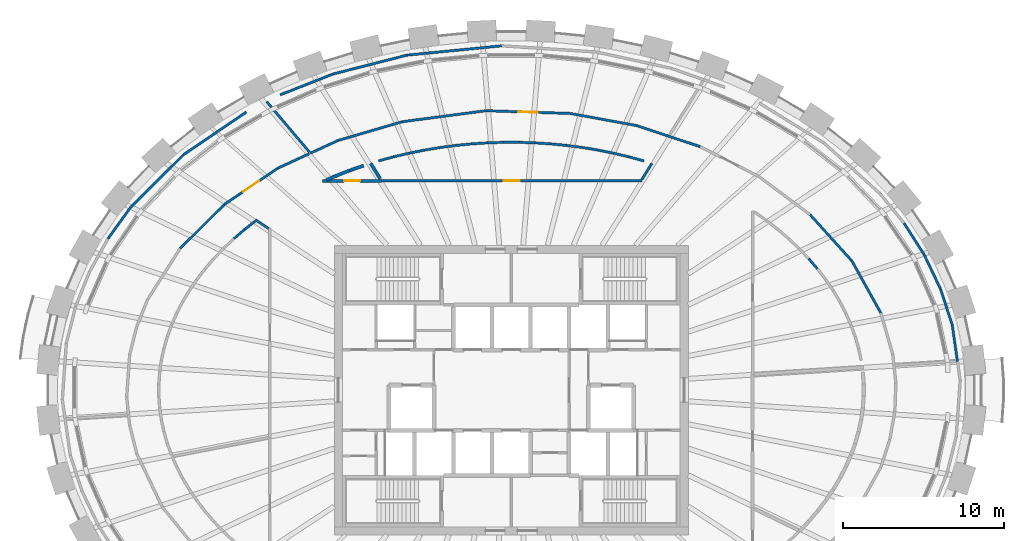
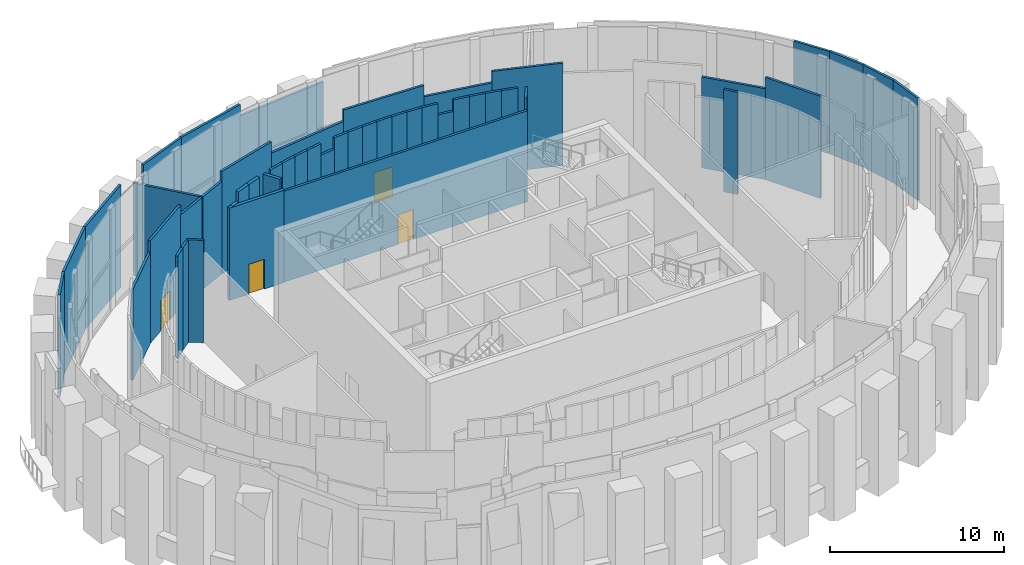
# One storey, part 13 of 16: 50 walls, 4 doors, 4 openings.
"""IFC4 building model written with IfcOpenShell, lengths in metres."""

from ifc_helpers import new_model, si_unit, direction, frame, frame_2d, origin, place, context, subcontext, project, spatial, rectangle, extrude, source, transform, mapped, material, layer, layer_set, type_object, element, fill, save


model = new_model("IFC4")

# Units and contexts
model_context = context("Model", 3, precision=1e-05, world=origin(), true_north=direction((0.0, 1.0)))
body_context = subcontext(model_context, "Body", "Model", "MODEL_VIEW")
ifc_project = project(units=[si_unit("LENGTHUNIT", "METRE"), si_unit("AREAUNIT", "SQUARE_METRE"), si_unit("VOLUMEUNIT", "CUBIC_METRE"), si_unit("PLANEANGLEUNIT", "RADIAN"), si_unit("MASSUNIT", "GRAM", prefix="KILO")], contexts=[model_context])

# Site, building, storey
site_placement = place(None, origin())
site = spatial("IfcSite", under=ifc_project, at=site_placement, CompositionType="ELEMENT")
building_placement = place(site_placement, origin())
building = spatial("IfcBuilding", under=site, at=building_placement, Name="Embergate Tower", CompositionType="ELEMENT")
storey_placement = place(building_placement, frame((0.0, 0.0, 332.5)))
storey = spatial("IfcBuildingStorey", under=building, at=storey_placement, Name="L78", CompositionType="ELEMENT", Elevation=332.5)

# Walls
ifc_material_1 = material(Name="Plasterboard on steel stud", Category="steel")
ifc_layer_1 = layer(ifc_material_1, 0.14990234375)
ifc_layer_set_1 = layer_set([ifc_layer_1], Name="Plasterboard on steel stud")
wall_type_1 = type_object("IfcWallType", Name="Partition wall 150 board", PredefinedType="PARTITIONING", material=ifc_layer_set_1)
shared_shape_1 = source(origin(), body_context, "Body", "SweptSolid", [
    extrude(rectangle(XDim=2.286865234375, YDim=0.14990234375, at=frame_2d((1.1435546875, 0.0))), origin(), (0.0, 0.0, 1.0), 7.199951171875),
])
wall_1_placement = place(storey_placement, frame((27.405029296875, 4.052001953125, 0.0), z_axis=(0.0, 0.0, 1.0), x_axis=(0.141241998997, -0.989975099545, 0.0)))
element("IfcWall", 1, at=wall_1_placement, inside=storey, type_object=wall_type_1, Name="Partition 211", PredefinedType="PARTITIONING", context=body_context, shape_type="MappedRepresentation", body=[
    mapped(shared_shape_1, transform((0.0, 0.0, 0.0))),
])
shared_shape_2 = source(origin(), body_context, "Body", "SweptSolid", [
    extrude(rectangle(XDim=2.33984375, YDim=0.14990234375, at=frame_2d((1.169921875, 0.0))), origin(), (0.0, 0.0, 1.0), 7.199951171875),
])
wall_2_placement = place(storey_placement, frame((26.680908203125, 6.277099609375, 0.0), z_axis=(0.0, 0.0, 1.0), x_axis=(0.309458801417, -0.950912851015, 0.0)))
element("IfcWall", 2, at=wall_2_placement, inside=storey, type_object=wall_type_1, Name="Partition 209", PredefinedType="PARTITIONING", context=body_context, shape_type="MappedRepresentation", body=[
    mapped(shared_shape_2, transform((0.0, 0.0, 0.0))),
])
shared_shape_3 = source(origin(), body_context, "Body", "SweptSolid", [
    extrude(rectangle(XDim=2.357666015625, YDim=0.14990234375, at=frame_2d((1.1787109375, 0.0))), origin(), (0.0, 0.0, 1.0), 7.199951171875),
])
wall_3_placement = place(storey_placement, frame((25.666015625, 8.405029296875, 0.0), z_axis=(0.0, 0.0, 1.0), x_axis=(0.430484206398, -0.902598109926, 0.0)))
element("IfcWall", 3, at=wall_3_placement, inside=storey, type_object=wall_type_1, Name="Partition 207", PredefinedType="PARTITIONING", context=body_context, shape_type="MappedRepresentation", body=[
    mapped(shared_shape_3, transform((0.0, 0.0, 0.0))),
])
shared_shape_4 = source(origin(), body_context, "Body", "SweptSolid", [
    extrude(rectangle(XDim=2.365478515625, YDim=0.14990234375, at=frame_2d((1.1826171875, 0.0))), origin(), (0.0, 0.0, 1.0), 7.199951171875),
])
wall_4_placement = place(storey_placement, frame((-25.071044921875, 9.39990234375, 0.0), z_axis=(0.0, 0.0, 1.0), x_axis=(0.58590497925, 0.810379759921, 0.0)))
element("IfcWall", 4, at=wall_4_placement, inside=storey, type_object=wall_type_1, Name="Partition 009", PredefinedType="PARTITIONING", context=body_context, shape_type="MappedRepresentation", body=[
    mapped(shared_shape_4, transform((0.0, 0.0, 0.0))),
])
shared_shape_5 = source(origin(), body_context, "Body", "SweptSolid", [
    extrude(rectangle(XDim=2.333984375, YDim=0.14990234375, at=frame_2d((1.1669921875, 0.0))), origin(), (0.0, 0.0, 1.0), 7.199951171875),
])
wall_5_placement = place(storey_placement, frame((24.409912109375, 10.3720703125, 0.0), z_axis=(0.0, 0.0, 1.0), x_axis=(0.538201487539, -0.842816207017, 0.0)))
element("IfcWall", 5, at=wall_5_placement, inside=storey, type_object=wall_type_1, Name="Partition 205", PredefinedType="PARTITIONING", context=body_context, shape_type="MappedRepresentation", body=[
    mapped(shared_shape_5, transform((0.0, 0.0, 0.0))),
])
shared_shape_6 = source(origin(), body_context, "Body", "SweptSolid", [
    extrude(rectangle(XDim=4.688232421875, YDim=0.14990234375, at=frame_2d((2.34423828125, 0.0))), origin(), (0.0, 0.0, 1.0), 7.199951171875),
])
wall_6_placement = place(storey_placement, frame((-23.68505859375, 11.31689453125, 0.0), z_axis=(0.0, 0.0, 1.0), x_axis=(0.707757424676, 0.706455538456, 0.0)))
element("IfcWall", 6, at=wall_6_placement, inside=storey, type_object=wall_type_1, Name="Partition 016", PredefinedType="PARTITIONING", context=body_context, shape_type="MappedRepresentation", body=[
    mapped(shared_shape_6, transform((0.0, 0.0, 0.0))),
])
shared_shape_7 = source(origin(), body_context, "Body", "SweptSolid", [
    extrude(rectangle(XDim=3.8798828125, YDim=0.14990234375, at=frame_2d((1.93994140625, 0.0))), origin(), (0.0, 0.0, 1.0), 6.39990234375),
])
wall_7_placement = place(storey_placement, frame((-20.5810546875, 8.7939453125, 0.0), z_axis=(0.0, 0.0, 1.0), x_axis=(0.708269912657, 0.705941733307, 0.0)))
element("IfcWall", 7, at=wall_7_placement, inside=storey, type_object=wall_type_1, Name="Partition 036", PredefinedType="PARTITIONING", context=body_context, shape_type="MappedRepresentation", body=[
    mapped(shared_shape_7, transform((0.0, 0.0, 0.0))),
])
shared_shape_8 = source(origin(), body_context, "Body", "SweptSolid", [
    extrude(rectangle(XDim=4.715576171875, YDim=0.14990234375, at=frame_2d((2.35791015625, 0.0))), origin(), (0.0, 0.0, 1.0), 7.199951171875),
])
wall_8_placement = place(storey_placement, frame((-20.366943359375, 14.62890625, 0.0), z_axis=(0.0, 0.0, 1.0), x_axis=(0.827425943058, 0.561574846975, 0.0)))
element("IfcWall", 8, at=wall_8_placement, inside=storey, type_object=wall_type_1, Name="Partition 039", PredefinedType="PARTITIONING", context=body_context, shape_type="MappedRepresentation", body=[
    mapped(shared_shape_8, transform((0.0, 0.0, 0.0))),
])
shared_shape_9 = source(origin(), body_context, "Body", "SweptSolid", [
    extrude(rectangle(XDim=0.843994140625, YDim=0.14990234375, at=frame_2d((0.421875, 0.0))), origin(), (0.0, 0.0, 1.0), 7.199951171875),
])
wall_9_placement = place(storey_placement, frame((19.030029296875, 7.531982421875, 0.0), z_axis=(0.0, 0.0, 1.0), x_axis=(-0.651719945769, 0.758459697207, 0.0)))
element("IfcWall", 9, at=wall_9_placement, inside=storey, type_object=wall_type_1, Name="Partition 171", PredefinedType="PARTITIONING", context=body_context, shape_type="MappedRepresentation", body=[
    mapped(shared_shape_9, transform((0.0, 0.0, 0.0))),
])

# Wall, opening, door
shared_shape_10 = source(origin(), body_context, "Body", "SweptSolid", [
    extrude(rectangle(XDim=4.015869140625, YDim=0.14990234375, at=frame_2d((2.0078125, 0.0))), origin(), (0.0, 0.0, 1.0), 7.199951171875),
])
wall_10_placement = place(storey_placement, frame((-17.8330078125, 11.532958984375, 0.0), z_axis=(0.0, 0.0, 1.0), x_axis=(0.827448536195, 0.561541556743, 0.0)))
wall_10 = element("IfcWall", 10, at=wall_10_placement, inside=storey, type_object=wall_type_1, Name="Partition 052", PredefinedType="PARTITIONING", context=body_context, shape_type="MappedRepresentation", body=[
    mapped(shared_shape_10, transform((0.0, 0.0, 0.0))),
])
shared_shape_11 = source(origin(), body_context, "Body", "SweptSolid", [
    extrude(rectangle(XDim=1.199951171875, YDim=2.10009765625, at=frame_2d((0.60009765625, 1.050048828125))), frame((0.0, 0.0849609375, 0.0), z_axis=(0.0, -1.0, 0.0), x_axis=(1.0, 0.0, 0.0)), (0.0, 0.0, 1.0), 0.169921875),
])
opening_1_placement = place(wall_10_placement, frame((1.407958984375, 0.0, 0.0)))
opening_1 = element("IfcOpeningElement", 11, at=opening_1_placement, cuts=wall_10, Name="Opening DS-260", PredefinedType="OPENING", context=body_context, shape_type="MappedRepresentation", body=[
    mapped(shared_shape_11, transform((0.0, 0.0, 0.0))),
])
ifc_material_2 = material(Name="Timber door leaf, steel frame", Category="steel")
door_type_1 = type_object("IfcDoorType", Name="Plant door 1200x2100", OperationType="SINGLE_SWING_LEFT", PredefinedType="DOOR", material=ifc_material_2)
shared_shape_12 = source(origin(), body_context, "Body", "SweptSolid", [
    extrude(rectangle(XDim=1.199951171875, YDim=2.10009765625, at=frame_2d((0.60009765625, 1.050048828125))), frame((0.0, 0.02490234375, 0.0), z_axis=(0.0, -1.0, 0.0), x_axis=(1.0, 0.0, 0.0)), (0.0, 0.0, 1.0), 0.050048828125),
])
door_1_placement = place(opening_1_placement, origin())
door_1 = element("IfcDoor", 12, at=door_1_placement, inside=storey, type_object=door_type_1, Name="Door to North-west viewing lounge", OperationType="SINGLE_SWING_LEFT", OverallHeight=2.10009765625, OverallWidth=1.199951171875, PredefinedType="DOOR", context=body_context, shape_type="MappedRepresentation", body=[
    mapped(shared_shape_12, transform((0.0, 0.0, 0.0))),
])
fill(opening_1, door_1)

# Walls
shared_shape_13 = source(origin(), body_context, "Body", "SweptSolid", [
    extrude(rectangle(XDim=0.880615234375, YDim=0.14990234375, at=frame_2d((0.4404296875, 0.0))), origin(), (0.0, 0.0, 1.0), 7.199951171875),
])
wall_11_placement = place(storey_placement, frame((-16.56591796875, 9.986083984375, 0.0), z_axis=(0.0, 0.0, 1.0), x_axis=(-0.758453739474, -0.651726879205, 0.0)))
element("IfcWall", 13, at=wall_11_placement, inside=storey, type_object=wall_type_1, Name="Partition 056", PredefinedType="PARTITIONING", context=body_context, shape_type="MappedRepresentation", body=[
    mapped(shared_shape_13, transform((0.0, 0.0, 0.0))),
])
shared_shape_14 = source(origin(), body_context, "Body", "SweptSolid", [
    extrude(rectangle(XDim=0.8271484375, YDim=0.14990234375, at=frame_2d((0.41357421875, 0.0))), origin(), (0.0, 0.0, 1.0), 7.199951171875),
])
wall_12_placement = place(storey_placement, frame((-15.9140625, 10.4951171875, 0.0), z_axis=(0.0, 0.0, 1.0), x_axis=(-0.788158613851, -0.615472175985, 0.0)))
element("IfcWall", 14, at=wall_12_placement, inside=storey, type_object=wall_type_1, Name="Partition 059", PredefinedType="PARTITIONING", context=body_context, shape_type="MappedRepresentation", body=[
    mapped(shared_shape_14, transform((0.0, 0.0, 0.0))),
])
shared_shape_15 = source(origin(), body_context, "Body", "SweptSolid", [
    extrude(rectangle(XDim=1.0009765625, YDim=0.14990234375, at=frame_2d((0.50048828125, 0.0))), origin(), (0.0, 0.0, 1.0), 7.199951171875),
])
wall_13_placement = place(storey_placement, frame((-15.904052734375, 10.592041015625, 0.0), z_axis=(0.0, 0.0, 1.0), x_axis=(0.832237873638, -0.554418724144, 0.0)))
element("IfcWall", 15, at=wall_13_placement, inside=storey, type_object=wall_type_1, Name="Partition 060", PredefinedType="PARTITIONING", context=body_context, shape_type="MappedRepresentation", body=[
    mapped(shared_shape_15, transform((0.0, 0.0, 0.0))),
])
shared_shape_16 = source(origin(), body_context, "Body", "SweptSolid", [
    extrude(rectangle(XDim=2.152587890625, YDim=0.14990234375, at=frame_2d((1.076171875, 0.0))), origin(), (0.0, 0.0, 1.0), 6.5),
])
wall_14_placement = place(storey_placement, frame((-14.510009765625, 13.7880859375, 0.0), z_axis=(0.0, 0.0, 1.0), x_axis=(0.908218126724, 0.418497113838, 0.0)))
element("IfcWall", 16, at=wall_14_placement, inside=storey, type_object=wall_type_1, Name="Partition 065", PredefinedType="PARTITIONING", context=body_context, shape_type="MappedRepresentation", body=[
    mapped(shared_shape_16, transform((0.0, 0.0, 0.0))),
])
shared_shape_17 = source(origin(), body_context, "Body", "SweptSolid", [
    extrude(rectangle(XDim=3.5458984375, YDim=0.14990234375, at=frame_2d((1.77294921875, 0.0))), origin(), (0.0, 0.0, 1.0), 7.199951171875),
])
wall_15_placement = place(storey_placement, frame((-14.35888671875, 18.34912109375, 0.0), z_axis=(0.0, 0.0, 1.0), x_axis=(0.930607478203, 0.366018744756, 0.0)))
element("IfcWall", 17, at=wall_15_placement, inside=storey, type_object=wall_type_1, Name="Partition 066", PredefinedType="PARTITIONING", context=body_context, shape_type="MappedRepresentation", body=[
    mapped(shared_shape_17, transform((0.0, 0.0, 0.0))),
])
shared_shape_18 = source(origin(), body_context, "Body", "SweptSolid", [
    extrude(rectangle(XDim=4.12158203125, YDim=0.14990234375, at=frame_2d((2.060791015625, 0.0))), origin(), (0.0, 0.0, 1.0), 6.5),
])
wall_16_placement = place(storey_placement, frame((-12.531005859375, 14.779052734375, 0.0), z_axis=(0.0, 0.0, 1.0), x_axis=(-0.646605834237, 0.762824288503, 0.0)))
element("IfcWall", 18, at=wall_16_placement, inside=storey, type_object=wall_type_1, Name="Partition 068", PredefinedType="PARTITIONING", context=body_context, shape_type="MappedRepresentation", body=[
    mapped(shared_shape_18, transform((0.0, 0.0, 0.0))),
])
shared_shape_19 = source(origin(), body_context, "Body", "SweptSolid", [
    extrude(rectangle(XDim=1.880615234375, YDim=0.14990234375, at=frame_2d((0.9404296875, 0.0))), origin(), (0.0, 0.0, 1.0), 6.5),
])
wall_17_placement = place(storey_placement, frame((-12.48193359375, 14.721923828125, 0.0), z_axis=(0.0, 0.0, 1.0), x_axis=(0.908202401755, 0.418531238316, 0.0)))
element("IfcWall", 19, at=wall_17_placement, inside=storey, type_object=wall_type_1, Name="Partition 069", PredefinedType="PARTITIONING", context=body_context, shape_type="MappedRepresentation", body=[
    mapped(shared_shape_19, transform((0.0, 0.0, 0.0))),
])

# Wall, opening, door
ifc_material_3 = material(Name="Blockwork, plastered", Category="masonry")
ifc_layer_2 = layer(ifc_material_3, 0.199951171875)
ifc_layer_set_2 = layer_set([ifc_layer_2], Name="Blockwork, plastered")
wall_type_2 = type_object("IfcWallType", Name="Partition wall 200 block", PredefinedType="PARTITIONING", material=ifc_layer_set_2)
shared_shape_20 = source(origin(), body_context, "Body", "SweptSolid", [
    extrude(rectangle(XDim=3.653076171875, YDim=0.199951171875, at=frame_2d((1.82666015625, 0.0))), origin(), (0.0, 0.0, 1.0), 6.5),
])
wall_18_placement = place(storey_placement, frame((-11.717041015625, 13.0, 0.0), z_axis=(0.0, 0.0, 1.0), x_axis=(1.0, 0.0, 0.0)))
wall_18 = element("IfcWall", 20, at=wall_18_placement, inside=storey, type_object=wall_type_2, Name="Partition 071", PredefinedType="PARTITIONING", context=body_context, shape_type="MappedRepresentation", body=[
    mapped(shared_shape_20, transform((0.0, 0.0, 0.0))),
])
shared_shape_21 = source(origin(), body_context, "Body", "SweptSolid", [
    extrude(rectangle(XDim=1.0, YDim=2.10009765625, at=frame_2d((0.5, 1.050048828125))), frame((0.0, 0.10986328125, 0.0), z_axis=(0.0, -1.0, 0.0), x_axis=(1.0, 0.0, 0.0)), (0.0, 0.0, 1.0), 0.219970703125),
])
opening_2_placement = place(wall_18_placement, frame((1.326904296875, 0.0, 0.0)))
opening_2 = element("IfcOpeningElement", 21, at=opening_2_placement, cuts=wall_18, Name="Opening DS-266", PredefinedType="OPENING", context=body_context, shape_type="MappedRepresentation", body=[
    mapped(shared_shape_21, transform((0.0, 0.0, 0.0))),
])
door_type_2 = type_object("IfcDoorType", Name="Single door 1000x2100", OperationType="SINGLE_SWING_LEFT", PredefinedType="DOOR", material=ifc_material_2)
shared_shape_22 = source(origin(), body_context, "Body", "SweptSolid", [
    extrude(rectangle(XDim=1.0, YDim=2.10009765625, at=frame_2d((0.5, 1.050048828125))), frame((0.0, 0.02490234375, 0.0), z_axis=(0.0, -1.0, 0.0), x_axis=(1.0, 0.0, 0.0)), (0.0, 0.0, 1.0), 0.050048828125),
])
door_2_placement = place(opening_2_placement, origin())
door_2 = element("IfcDoor", 22, at=door_2_placement, inside=storey, type_object=door_type_2, Name="Door to Public WC", OperationType="SINGLE_SWING_LEFT", OverallHeight=2.10009765625, OverallWidth=1.0, PredefinedType="DOOR", context=body_context, shape_type="MappedRepresentation", body=[
    mapped(shared_shape_22, transform((0.0, 0.0, 0.0))),
])
fill(opening_2, door_2)

# Walls
shared_shape_23 = source(origin(), body_context, "Body", "SweptSolid", [
    extrude(rectangle(XDim=4.728515625, YDim=0.14990234375, at=frame_2d((2.3642578125, 0.0))), origin(), (0.0, 0.0, 1.0), 7.199951171875),
])
wall_19_placement = place(storey_placement, frame((-11.05908203125, 19.64697265625, 0.0), z_axis=(0.0, 0.0, 1.0), x_axis=(0.969014535327, 0.247003705083, 0.0)))
element("IfcWall", 23, at=wall_19_placement, inside=storey, type_object=wall_type_1, Name="Partition 072", PredefinedType="PARTITIONING", context=body_context, shape_type="MappedRepresentation", body=[
    mapped(shared_shape_23, transform((0.0, 0.0, 0.0))),
])
shared_shape_24 = source(origin(), body_context, "Body", "SweptSolid", [
    extrude(rectangle(XDim=0.529052734375, YDim=0.199951171875, at=frame_2d((0.2646484375, 0.0))), origin(), (0.0, 0.0, 1.0), 6.5),
])
wall_20_placement = place(storey_placement, frame((-10.9951171875, 13.27197265625, 0.0), z_axis=(0.0, 0.0, 1.0), x_axis=(-0.91630551971, -0.400479955241, 0.0)))
element("IfcWall", 24, at=wall_20_placement, inside=storey, type_object=wall_type_2, Name="Partition 073", PredefinedType="PARTITIONING", context=body_context, shape_type="MappedRepresentation", body=[
    mapped(shared_shape_24, transform((0.0, 0.0, 0.0))),
])
shared_shape_25 = source(origin(), body_context, "Body", "SweptSolid", [
    extrude(rectangle(XDim=4.15771484375, YDim=0.14990234375, at=frame_2d((2.078857421875, 0.0))), origin(), (0.0, 0.0, 1.0), 7.199951171875),
])
wall_21_placement = place(storey_placement, frame((-10.77392578125, 15.509033203125, 0.0), z_axis=(0.0, 0.0, 1.0), x_axis=(0.959871658062, 0.280439654916, 0.0)))
element("IfcWall", 25, at=wall_21_placement, inside=storey, type_object=wall_type_1, Name="Partition 075", PredefinedType="PARTITIONING", context=body_context, shape_type="MappedRepresentation", body=[
    mapped(shared_shape_25, transform((0.0, 0.0, 0.0))),
])
shared_shape_26 = source(origin(), body_context, "Body", "SweptSolid", [
    extrude(rectangle(XDim=0.96728515625, YDim=0.199951171875, at=frame_2d((0.483642578125, 0.0))), origin(), (0.0, 0.0, 1.0), 7.199951171875),
])
wall_22_placement = place(storey_placement, frame((-10.076904296875, 13.634033203125, 0.0), z_axis=(0.0, 0.0, 1.0), x_axis=(-0.930619512582, -0.365988145713, 0.0)))
element("IfcWall", 26, at=wall_22_placement, inside=storey, type_object=wall_type_2, Name="Partition 077", PredefinedType="PARTITIONING", context=body_context, shape_type="MappedRepresentation", body=[
    mapped(shared_shape_26, transform((0.0, 0.0, 0.0))),
])
shared_shape_27 = source(origin(), body_context, "Body", "SweptSolid", [
    extrude(rectangle(XDim=0.957763671875, YDim=0.199951171875, at=frame_2d((0.47900390625, 0.0))), origin(), (0.0, 0.0, 1.0), 7.199951171875),
])
wall_23_placement = place(storey_placement, frame((-9.173095703125, 13.950927734375, 0.0), z_axis=(0.0, 0.0, 1.0), x_axis=(-0.943675403616, -0.330872683386, 0.0)))
element("IfcWall", 27, at=wall_23_placement, inside=storey, type_object=wall_type_2, Name="Partition 082", PredefinedType="PARTITIONING", context=body_context, shape_type="MappedRepresentation", body=[
    mapped(shared_shape_27, transform((0.0, 0.0, 0.0))),
])
shared_shape_28 = source(origin(), body_context, "Body", "SweptSolid", [
    extrude(rectangle(XDim=0.979736328125, YDim=0.14990234375, at=frame_2d((0.48974609375, 0.0))), origin(), (0.0, 0.0, 1.0), 7.199951171875),
])
for number, where, z_axis, x_axis, name in (
    (28, (-7.302978515625, 14.4970703125, 0.0), (0.0, 0.0, 1.0), (-0.964683262792, -0.263412608827, 0.0), "Partition 088"),
    (29, (8.248046875, 14.239013671875, 0.0), (0.0, 0.0, 1.0), (-0.964683262792, 0.263412608827, 0.0), "Partition 135"),
):
    element("IfcWall", number, at=place(storey_placement, frame(where, z_axis=z_axis, x_axis=x_axis)), inside=storey, type_object=wall_type_1, Name=name, PredefinedType="PARTITIONING", context=body_context, shape_type="MappedRepresentation", body=[
        mapped(shared_shape_28, transform((0.0, 0.0, 0.0))),
    ])
shared_shape_29 = source(origin(), body_context, "Body", "SweptSolid", [
    extrude(rectangle(XDim=1.119140625, YDim=0.199951171875, at=frame_2d((0.5595703125, 0.0))), origin(), (0.0, 0.0, 1.0), 7.199951171875),
])
wall_24_placement = place(storey_placement, frame((-8.14794921875, 13.135986328125, 0.0), z_axis=(0.0, 0.0, 1.0), x_axis=(-0.527270542479, 0.849697460884, 0.0)))
element("IfcWall", 30, at=wall_24_placement, inside=storey, type_object=wall_type_2, Name="Partition 084", PredefinedType="PARTITIONING", context=body_context, shape_type="MappedRepresentation", body=[
    mapped(shared_shape_29, transform((0.0, 0.0, 0.0))),
])

# Wall, opening, door
shared_shape_30 = source(origin(), body_context, "Body", "SweptSolid", [
    extrude(rectangle(XDim=16.202880859375, YDim=0.14990234375, at=frame_2d((8.1015625, 0.0))), origin(), (0.0, 0.0, 1.0), 6.39990234375),
])
wall_25_placement = place(storey_placement, frame((-8.06396484375, 13.0, 0.0), z_axis=(0.0, 0.0, 1.0), x_axis=(1.0, 0.0, 0.0)))
wall_25 = element("IfcWall", 31, at=wall_25_placement, inside=storey, type_object=wall_type_1, Name="Partition 085", PredefinedType="PARTITIONING", context=body_context, shape_type="MappedRepresentation", body=[
    mapped(shared_shape_30, transform((0.0, 0.0, 0.0))),
])
shared_shape_31 = source(origin(), body_context, "Body", "SweptSolid", [
    extrude(rectangle(XDim=1.0, YDim=2.10009765625, at=frame_2d((0.5, 1.050048828125))), frame((0.0, 0.0849609375, 0.0), z_axis=(0.0, -1.0, 0.0), x_axis=(1.0, 0.0, 0.0)), (0.0, 0.0, 1.0), 0.169921875),
])
opening_3_placement = place(wall_25_placement, frame((7.60107421875, 0.0, 0.0)))
opening_3 = element("IfcOpeningElement", 32, at=opening_3_placement, cuts=wall_25, Name="Opening DS-265", PredefinedType="OPENING", context=body_context, shape_type="MappedRepresentation", body=[
    mapped(shared_shape_31, transform((0.0, 0.0, 0.0))),
])
door_3_placement = place(opening_3_placement, origin())
door_3 = element("IfcDoor", 33, at=door_3_placement, inside=storey, type_object=door_type_2, Name="Door to Operations office", OperationType="SINGLE_SWING_LEFT", OverallHeight=2.10009765625, OverallWidth=1.0, PredefinedType="DOOR", context=body_context, shape_type="MappedRepresentation", body=[
    mapped(shared_shape_22, transform((0.0, 0.0, 0.0))),
])
fill(opening_3, door_3)

# Walls
shared_shape_32 = source(origin(), body_context, "Body", "SweptSolid", [
    extrude(rectangle(XDim=5.248779296875, YDim=0.14990234375, at=frame_2d((2.62451171875, 0.0))), origin(), (0.0, 0.0, 1.0), 6.39990234375),
])
wall_26_placement = place(storey_placement, frame((-6.782958984375, 16.675048828125, 0.0), z_axis=(0.0, 0.0, 1.0), x_axis=(0.99142181034, 0.130701162893, 0.0)))
element("IfcWall", 34, at=wall_26_placement, inside=storey, type_object=wall_type_1, Name="Partition 089", PredefinedType="PARTITIONING", context=body_context, shape_type="MappedRepresentation", body=[
    mapped(shared_shape_32, transform((0.0, 0.0, 0.0))),
])
shared_shape_33 = source(origin(), body_context, "Body", "SweptSolid", [
    extrude(rectangle(XDim=5.91357421875, YDim=0.14990234375, at=frame_2d((2.956787109375, 0.0))), origin(), (0.0, 0.0, 1.0), 6.39990234375),
])
wall_27_placement = place(storey_placement, frame((-6.47705078125, 20.81494140625, 0.0), z_axis=(0.0, 0.0, 1.0), x_axis=(0.995177214215, 0.098093385645, 0.0)))
element("IfcWall", 35, at=wall_27_placement, inside=storey, type_object=wall_type_1, Name="Partition 090", PredefinedType="PARTITIONING", context=body_context, shape_type="MappedRepresentation", body=[
    mapped(shared_shape_33, transform((0.0, 0.0, 0.0))),
])
shared_shape_34 = source(origin(), body_context, "Body", "SweptSolid", [
    extrude(rectangle(XDim=0.97216796875, YDim=0.14990234375, at=frame_2d((0.486083984375, 0.0))), origin(), (0.0, 0.0, 1.0), 7.199951171875),
])
for number, where, z_axis, x_axis, name in (
    (36, (-6.35693359375, 14.720947265625, 0.0), (0.0, 0.0, 1.0), (-0.973123250608, -0.230284908595, 0.0), "Partition 091"),
    (37, (7.302978515625, 14.4970703125, 0.0), (0.0, 0.0, 1.0), (-0.973123250608, 0.230284908595, 0.0), "Partition 132"),
):
    element("IfcWall", number, at=place(storey_placement, frame(where, z_axis=z_axis, x_axis=x_axis)), inside=storey, type_object=wall_type_1, Name=name, PredefinedType="PARTITIONING", context=body_context, shape_type="MappedRepresentation", body=[
        mapped(shared_shape_34, transform((0.0, 0.0, 0.0))),
    ])
shared_shape_35 = source(origin(), body_context, "Body", "SweptSolid", [
    extrude(rectangle(XDim=0.986328125, YDim=0.14990234375, at=frame_2d((0.4931640625, 0.0))), origin(), (0.0, 0.0, 1.0), 7.199951171875),
])
for number, where, z_axis, x_axis, name in (
    (38, (-4.423095703125, 15.074951171875, 0.0), (0.0, 0.0, 1.0), (-0.986440715408, -0.164117991045, 0.0), "Partition 099"),
    (39, (5.39599609375, 14.9130859375, 0.0), (0.0, 0.0, 1.0), (-0.986440715408, 0.164117991045, 0.0), "Partition 126"),
):
    element("IfcWall", number, at=place(storey_placement, frame(where, z_axis=z_axis, x_axis=x_axis)), inside=storey, type_object=wall_type_1, Name=name, PredefinedType="PARTITIONING", context=body_context, shape_type="MappedRepresentation", body=[
        mapped(shared_shape_35, transform((0.0, 0.0, 0.0))),
    ])
shared_shape_36 = source(origin(), body_context, "Body", "SweptSolid", [
    extrude(rectangle(XDim=0.97998046875, YDim=0.14990234375, at=frame_2d((0.489990234375, 0.0))), origin(), (0.0, 0.0, 1.0), 7.199951171875),
])
for number, where, z_axis, x_axis, name in (
    (40, (-5.39599609375, 14.9130859375, 0.0), (0.0, 0.0, 1.0), (-0.980590256586, -0.196068224577, 0.0), "Partition 096"),
    (41, (6.35693359375, 14.720947265625, 0.0), (0.0, 0.0, 1.0), (-0.980590256586, 0.196068224577, 0.0), "Partition 128"),
):
    element("IfcWall", number, at=place(storey_placement, frame(where, z_axis=z_axis, x_axis=x_axis)), inside=storey, type_object=wall_type_1, Name=name, PredefinedType="PARTITIONING", context=body_context, shape_type="MappedRepresentation", body=[
        mapped(shared_shape_36, transform((0.0, 0.0, 0.0))),
    ])
shared_shape_37 = source(origin(), body_context, "Body", "SweptSolid", [
    extrude(rectangle(XDim=4.186279296875, YDim=0.14990234375, at=frame_2d((2.09326171875, 0.0))), origin(), (0.0, 0.0, 1.0), 6.39990234375),
])
wall_28_placement = place(storey_placement, frame((3.677978515625, 17.18994140625, 0.0), z_axis=(0.0, 0.0, 1.0), x_axis=(0.983650834373, -0.180086190582, 0.0)))
element("IfcWall", 42, at=wall_28_placement, inside=storey, type_object=wall_type_1, Name="Partition 121", PredefinedType="PARTITIONING", context=body_context, shape_type="MappedRepresentation", body=[
    mapped(shared_shape_37, transform((0.0, 0.0, 0.0))),
])
shared_shape_38 = source(origin(), body_context, "Body", "SweptSolid", [
    extrude(rectangle(XDim=0.985595703125, YDim=0.14990234375, at=frame_2d((0.49267578125, 0.0))), origin(), (0.0, 0.0, 1.0), 7.199951171875),
])
for number, where, z_axis, x_axis, name in (
    (43, (-2.468017578125, 15.299072265625, 0.0), (0.0, 0.0, 1.0), (-0.995226638475, -0.097590665893, 0.0), "Partition 104"),
    (44, (3.448974609375, 15.202880859375, 0.0), (0.0, 0.0, 1.0), (-0.995226638475, 0.097590665893, 0.0), "Partition 120"),
):
    element("IfcWall", number, at=place(storey_placement, frame(where, z_axis=z_axis, x_axis=x_axis)), inside=storey, type_object=wall_type_1, Name=name, PredefinedType="PARTITIONING", context=body_context, shape_type="MappedRepresentation", body=[
        mapped(shared_shape_38, transform((0.0, 0.0, 0.0))),
    ])
shared_shape_39 = source(origin(), body_context, "Body", "SweptSolid", [
    extrude(rectangle(XDim=0.982421875, YDim=0.14990234375, at=frame_2d((0.4912109375, 0.0))), origin(), (0.0, 0.0, 1.0), 6.39990234375),
])
for number, where, z_axis, x_axis, name in (
    (45, (-3.448974609375, 15.202880859375, 0.0), (0.0, 0.0, 1.0), (-0.991486405438, -0.130210244724, 0.0), "Partition 102"),
    (46, (4.423095703125, 15.074951171875, 0.0), (0.0, 0.0, 1.0), (-0.991486405438, 0.130210244724, 0.0), "Partition 123"),
):
    element("IfcWall", number, at=place(storey_placement, frame(where, z_axis=z_axis, x_axis=x_axis)), inside=storey, type_object=wall_type_1, Name=name, PredefinedType="PARTITIONING", context=body_context, shape_type="MappedRepresentation", body=[
        mapped(shared_shape_39, transform((0.0, 0.0, 0.0))),
    ])
shared_shape_40 = source(origin(), body_context, "Body", "SweptSolid", [
    extrude(rectangle(XDim=0.9892578125, YDim=0.14990234375, at=frame_2d((0.49462890625, 0.0))), origin(), (0.0, 0.0, 1.0), 7.199951171875),
])
for number, where, z_axis, x_axis, name in (
    (47, (-1.48095703125, 15.364013671875, 0.0), (0.0, 0.0, 1.0), (-0.99784265977, -0.065650790873, 0.0), "Partition 107"),
    (48, (2.468017578125, 15.299072265625, 0.0), (0.0, 0.0, 1.0), (-0.99784265977, 0.065650790873, 0.0), "Partition 118"),
):
    element("IfcWall", number, at=place(storey_placement, frame(where, z_axis=z_axis, x_axis=x_axis)), inside=storey, type_object=wall_type_1, Name=name, PredefinedType="PARTITIONING", context=body_context, shape_type="MappedRepresentation", body=[
        mapped(shared_shape_40, transform((0.0, 0.0, 0.0))),
    ])

# Wall, opening, door
shared_shape_41 = source(origin(), body_context, "Body", "SweptSolid", [
    extrude(rectangle(XDim=5.259765625, YDim=0.14990234375, at=frame_2d((2.6298828125, 0.0))), origin(), (0.0, 0.0, 1.0), 7.199951171875),
])
wall_29_placement = place(storey_placement, frame((-1.5791015625, 17.361083984375, 0.0), z_axis=(0.0, 0.0, 1.0), x_axis=(0.999470517116, -0.032537446361, 0.0)))
wall_29 = element("IfcWall", 49, at=wall_29_placement, inside=storey, type_object=wall_type_1, Name="Partition 105", PredefinedType="PARTITIONING", context=body_context, shape_type="MappedRepresentation", body=[
    mapped(shared_shape_41, transform((0.0, 0.0, 0.0))),
])
opening_4_placement = place(wall_29_placement, frame((2.030029296875, 0.0, 0.0)))
opening_4 = element("IfcOpeningElement", 50, at=opening_4_placement, cuts=wall_29, Name="Opening DS-259", PredefinedType="OPENING", context=body_context, shape_type="MappedRepresentation", body=[
    mapped(shared_shape_11, transform((0.0, 0.0, 0.0))),
])
door_4_placement = place(opening_4_placement, origin())
door_4 = element("IfcDoor", 51, at=door_4_placement, inside=storey, type_object=door_type_1, Name="Door to North viewing lounge", OperationType="SINGLE_SWING_LEFT", OverallHeight=2.10009765625, OverallWidth=1.199951171875, PredefinedType="DOOR", context=body_context, shape_type="MappedRepresentation", body=[
    mapped(shared_shape_12, transform((0.0, 0.0, 0.0))),
])
fill(opening_4, door_4)

# Walls
shared_shape_42 = source(origin(), body_context, "Body", "SweptSolid", [
    extrude(rectangle(XDim=0.987548828125, YDim=0.14990234375, at=frame_2d((0.49365234375, 0.0))), origin(), (0.0, 0.0, 1.0), 7.199951171875),
])
for number, where, z_axis, x_axis, name in (
    (52, (-0.493896484375, 15.39599609375, 0.0), (0.0, 0.0, 1.0), (-0.999475478477, -0.03238468654, 0.0), "Partition 110"),
    (53, (1.48095703125, 15.364013671875, 0.0), (0.0, 0.0, 1.0), (-0.999475478477, 0.03238468654, 0.0), "Partition 115"),
):
    element("IfcWall", number, at=place(storey_placement, frame(where, z_axis=z_axis, x_axis=x_axis)), inside=storey, type_object=wall_type_1, Name=name, PredefinedType="PARTITIONING", context=body_context, shape_type="MappedRepresentation", body=[
        mapped(shared_shape_42, transform((0.0, 0.0, 0.0))),
    ])
shared_shape_43 = source(origin(), body_context, "Body", "SweptSolid", [
    extrude(rectangle(XDim=0.98779296875, YDim=0.14990234375, at=frame_2d((0.493896484375, 0.0))), origin(), (0.0, 0.0, 1.0), 7.199951171875),
])
wall_30_placement = place(storey_placement, frame((0.493896484375, 15.39599609375, 0.0), z_axis=(0.0, 0.0, 1.0), x_axis=(-1.0, 0.0, 0.0)))
element("IfcWall", 54, at=wall_30_placement, inside=storey, type_object=wall_type_1, Name="Partition 112", PredefinedType="PARTITIONING", context=body_context, shape_type="MappedRepresentation", body=[
    mapped(shared_shape_43, transform((0.0, 0.0, 0.0))),
])
shared_shape_44 = source(origin(), body_context, "Body", "SweptSolid", [
    extrude(rectangle(XDim=4.158203125, YDim=0.14990234375, at=frame_2d((2.0791015625, 0.0))), origin(), (0.0, 0.0, 1.0), 7.199951171875),
])
wall_31_placement = place(storey_placement, frame((7.7958984375, 16.43603515625, 0.0), z_axis=(0.0, 0.0, 1.0), x_axis=(0.9492279232, -0.314589176255, 0.0)))
element("IfcWall", 55, at=wall_31_placement, inside=storey, type_object=wall_type_1, Name="Partition 133", PredefinedType="PARTITIONING", context=body_context, shape_type="MappedRepresentation", body=[
    mapped(shared_shape_44, transform((0.0, 0.0, 0.0))),
])
shared_shape_45 = source(origin(), body_context, "Body", "SweptSolid", [
    extrude(rectangle(XDim=1.18359375, YDim=0.14990234375, at=frame_2d((0.591796875, 0.0))), origin(), (0.0, 0.0, 1.0), 7.199951171875),
])
wall_32_placement = place(storey_placement, frame((8.738037109375, 14.0869140625, 0.0), z_axis=(0.0, 0.0, 1.0), x_axis=(-0.527178019915, -0.849754867782, 0.0)))
element("IfcWall", 56, at=wall_32_placement, inside=storey, type_object=wall_type_1, Name="Partition 136", PredefinedType="PARTITIONING", context=body_context, shape_type="MappedRepresentation", body=[
    mapped(shared_shape_45, transform((0.0, 0.0, 0.0))),
])
shared_shape_46 = source(origin(), body_context, "Body", "SweptSolid", [
    extrude(rectangle(XDim=3.869873046875, YDim=0.14990234375, at=frame_2d((1.93505859375, 0.0))), origin(), (0.0, 0.0, 1.0), 6.39990234375),
])
wall_33_placement = place(storey_placement, frame((18.572998046875, 10.89794921875, 0.0), z_axis=(0.0, 0.0, 1.0), x_axis=(0.67082741747, -0.741613495003, 0.0)))
element("IfcWall", 57, at=wall_33_placement, inside=storey, type_object=wall_type_1, Name="Partition 169", PredefinedType="PARTITIONING", context=body_context, shape_type="MappedRepresentation", body=[
    mapped(shared_shape_46, transform((0.0, 0.0, 0.0))),
])
shared_shape_47 = source(origin(), body_context, "Body", "SweptSolid", [
    extrude(rectangle(XDim=3.704345703125, YDim=0.14990234375, at=frame_2d((1.85205078125, 0.0))), origin(), (0.0, 0.0, 1.0), 7.199951171875),
])
wall_34_placement = place(storey_placement, frame((21.1689453125, 8.028076171875, 0.0), z_axis=(0.0, 0.0, 1.0), x_axis=(0.485676506625, -0.874138622252, 0.0)))
element("IfcWall", 58, at=wall_34_placement, inside=storey, type_object=wall_type_1, Name="Partition 185", PredefinedType="PARTITIONING", context=body_context, shape_type="MappedRepresentation", body=[
    mapped(shared_shape_47, transform((0.0, 0.0, 0.0))),
])

save(model, "model.ifc")
